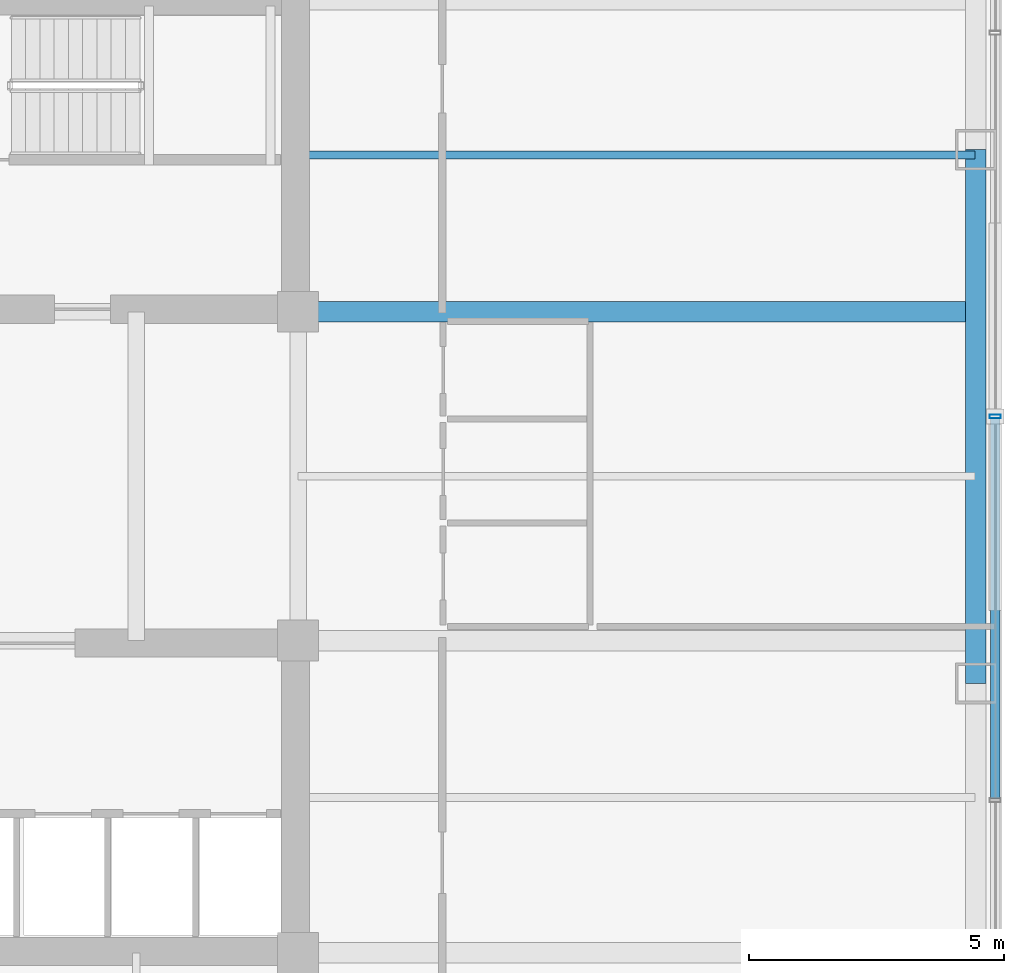
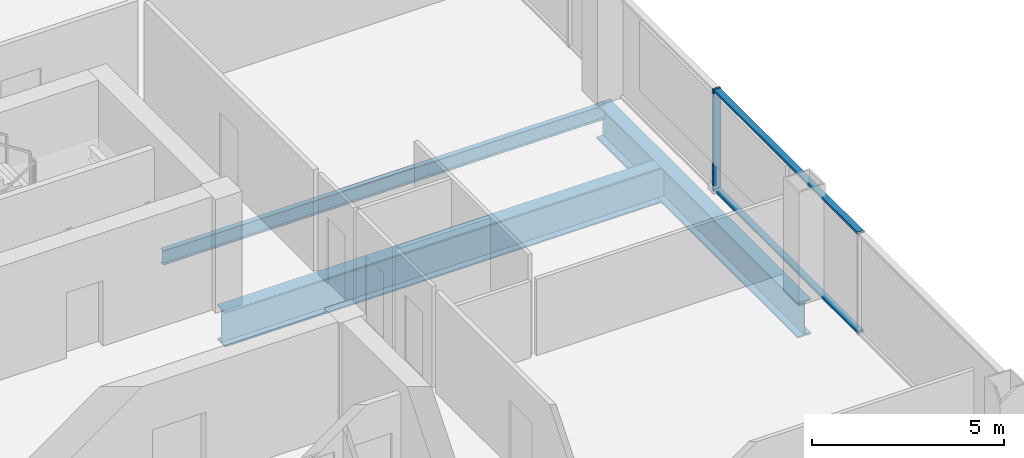
# One storey, part 11 of 24: 3 beams, 3 members, 1 element without a shape of its own.
"""IFC4 building model written with IfcOpenShell, lengths in metres."""

from ifc_helpers import new_model, si_unit, direction, frame, origin, origin_2d, place, context, subcontext, project, spatial, hollow_rectangle, i_section, extrude, material, layer, layer_set, material_profile, profile_set, type_object, element, aggregate, save


model = new_model("IFC4")

# Units and contexts
model_context = context("Model", 3, precision=1e-05, world=origin(), true_north=direction((0.0, 1.0)))
body_context = subcontext(model_context, "Body", "Model", "MODEL_VIEW")
ifc_project = project(units=[si_unit("LENGTHUNIT", "METRE"), si_unit("AREAUNIT", "SQUARE_METRE"), si_unit("VOLUMEUNIT", "CUBIC_METRE"), si_unit("PLANEANGLEUNIT", "RADIAN"), si_unit("MASSUNIT", "GRAM", prefix="KILO")], contexts=[model_context])

# Site, building, storey
site_placement = place(None, origin())
site = spatial("IfcSite", under=ifc_project, at=site_placement, CompositionType="ELEMENT")
building_placement = place(site_placement, origin())
building = spatial("IfcBuilding", under=site, at=building_placement, Name="Qhalaya Broadcast Tower", CompositionType="ELEMENT")
storey_placement = place(building_placement, frame((0.0, 0.0, 61.5)))
storey = spatial("IfcBuildingStorey", under=building, at=storey_placement, Name="L17", CompositionType="ELEMENT", Elevation=61.5)

# Beams
ifc_material_1 = material(Name="Structural Steel ASTM A992 Grade 50", Category="steel")
ifc_material_profile_1 = material_profile(ifc_material_1, i_section(OverallWidth=0.154052734375, OverallDepth=0.458984375, WebThickness=0.009033203125, FlangeThickness=0.015380859375, at=origin_2d()), Name="W18X46")
ifc_profile_set_1 = profile_set([ifc_material_profile_1], Name="Structural Steel ASTM A992 Grade 50")
beam_type_1 = type_object("IfcBeamType", Name="Composite Floor Joist J04", PredefinedType="JOIST", material=ifc_profile_set_1)
beam_1_placement = place(storey_placement, frame((9.375, 6.89990234375, -0.449462890625), z_axis=(1.0, 0.0, 0.0), x_axis=(0.0, 1.0, 0.0)))
element("IfcBeam", 1, at=beam_1_placement, inside=storey, type_object=beam_type_1, Name="L17 J04 L17-JWE5E-1", PredefinedType="JOIST", context=body_context, shape_type="SweptSolid", body=[
    extrude(i_section(OverallWidth=0.154052734375, OverallDepth=0.458984375, WebThickness=0.009033203125, FlangeThickness=0.015380859375, at=origin_2d()), origin(), (0.0, 0.0, 1.0), 13.27490234375),
])
ifc_material_profile_2 = material_profile(ifc_material_1, i_section(OverallWidth=0.404052734375, OverallDepth=1.117919921875, WebThickness=0.026123046875, FlangeThickness=0.044921875, at=origin_2d()), Name="W44X335")
ifc_profile_set_2 = profile_set([ifc_material_profile_2], Name="Structural Steel ASTM A992 Grade 50")
beam_type_2 = type_object("IfcBeamType", Name="Podium Long-Span Primary Girder PG1", PredefinedType="USERDEFINED", material=ifc_profile_set_2)
beam_2_placement = place(storey_placement, frame((22.669921875, -3.46337890625, -0.779052734375), z_axis=(0.0, 1.0, 0.0), x_axis=(-1.0, 0.0, 0.0)))
element("IfcBeam", 2, at=beam_2_placement, inside=storey, type_object=beam_type_2, Name="L17 PG1 L17-SPR-06", ObjectType="GIRDER", PredefinedType="USERDEFINED", context=body_context, shape_type="SweptSolid", body=[
    extrude(i_section(OverallWidth=0.404052734375, OverallDepth=1.117919921875, WebThickness=0.026123046875, FlangeThickness=0.044921875, at=origin_2d()), origin(), (0.0, 0.0, 1.0), 10.466796875),
])
beam_3_placement = place(storey_placement, frame((9.375, 3.824951171875, -0.779052734375), z_axis=(1.0, 0.0, 0.0), x_axis=(0.0, 1.0, 0.0)))
element("IfcBeam", 3, at=beam_3_placement, inside=storey, type_object=beam_type_2, Name="L17 PG1 L17-PGYE3-1", ObjectType="GIRDER", PredefinedType="USERDEFINED", context=body_context, shape_type="SweptSolid", body=[
    extrude(i_section(OverallWidth=0.404052734375, OverallDepth=1.117919921875, WebThickness=0.026123046875, FlangeThickness=0.044921875, at=origin_2d()), origin(), (0.0, 0.0, 1.0), 13.27490234375),
])

# Curtain wall, members
ifc_material_2 = material(Name="Solar-Control Low-E Triple Glazing", Category="glass")
ifc_layer = layer(ifc_material_2, 0.219970703125, Name="Solar-Control Low-E Triple Glazing")
ifc_layer_set = layer_set([ifc_layer], Name="Solar-Control Low-E Triple Glazing")
curtain_wall_type = type_object("IfcCurtainWallType", Name="Recessed Sky-Garden Neck Ribbon Curtain Wall CW-05", PredefinedType="NOTDEFINED", material=ifc_layer_set)
curtain_wall_placement = place(storey_placement, origin())
curtain_wall = element("IfcCurtainWall", 4, at=curtain_wall_placement, inside=storey, type_object=curtain_wall_type, Name="L17 Unitised Curtain Wall L17-CW-E", PredefinedType="NOTDEFINED")
ifc_material_3 = material(Name="Anodised Aluminium 6063-T6", Category="aluminium")
ifc_material_profile_3 = material_profile(ifc_material_3, hollow_rectangle(XDim=0.074951171875, YDim=0.219970703125, WallThickness=0.00390625, at=origin_2d()), Name="ALU-MUL 75x220x4")
ifc_profile_set_3 = profile_set([ifc_material_profile_3], Name="Anodised Aluminium 6063-T6")
member_type_1 = type_object("IfcMemberType", Name="Unitised Curtain-Wall Mullion M01", PredefinedType="MULLION", material=ifc_profile_set_3)
member_1_placement = place(storey_placement, frame((23.050048828125, 1.77001953125, 0.0), z_axis=(0.0, 0.0, 1.0), x_axis=(0.0, 1.0, 0.0)))
member_1 = element("IfcMember", 5, at=member_1_placement, type_object=member_type_1, Name="CW-05 mullion 3", PredefinedType="MULLION", context=body_context, shape_type="SweptSolid", body=[
    extrude(hollow_rectangle(XDim=0.074951171875, YDim=0.219970703125, WallThickness=0.00390625, at=origin_2d()), origin(), (0.0, 0.0, 1.0), 3.219970703125),
])
ifc_material_profile_4 = material_profile(ifc_material_3, hollow_rectangle(XDim=0.074951171875, YDim=0.179931640625, WallThickness=0.00390625, at=origin_2d()), Name="ALU-TRN 75x180x4")
ifc_profile_set_4 = profile_set([ifc_material_profile_4], Name="Anodised Aluminium 6063-T6")
member_type_2 = type_object("IfcMemberType", Name="Unitised Curtain-Wall Transom T01", PredefinedType="USERDEFINED", material=ifc_profile_set_4)
member_2_placement = place(storey_placement, frame((23.050048828125, -5.717529296875, 0.03759765625), z_axis=(0.0, 1.0, 0.0), x_axis=(0.0, 0.0, 1.0)))
member_2 = element("IfcMember", 6, at=member_2_placement, type_object=member_type_2, Name="CW-05 transom 2.1", ObjectType="TRANSOM", PredefinedType="USERDEFINED", context=body_context, shape_type="SweptSolid", body=[
    extrude(hollow_rectangle(XDim=0.074951171875, YDim=0.179931640625, WallThickness=0.00390625, at=origin_2d()), origin(), (0.0, 0.0, 1.0), 7.449951171875),
])
member_3_placement = place(storey_placement, frame((23.050048828125, -5.717529296875, 3.1826171875), z_axis=(0.0, 1.0, 0.0), x_axis=(0.0, 0.0, 1.0)))
member_3 = element("IfcMember", 7, at=member_3_placement, type_object=member_type_2, Name="CW-05 transom 2.2", ObjectType="TRANSOM", PredefinedType="USERDEFINED", context=body_context, shape_type="SweptSolid", body=[
    extrude(hollow_rectangle(XDim=0.074951171875, YDim=0.179931640625, WallThickness=0.00390625, at=origin_2d()), origin(), (0.0, 0.0, 1.0), 7.449951171875),
])
aggregate(curtain_wall, [member_1, member_2, member_3])

save(model, "model.ifc")
